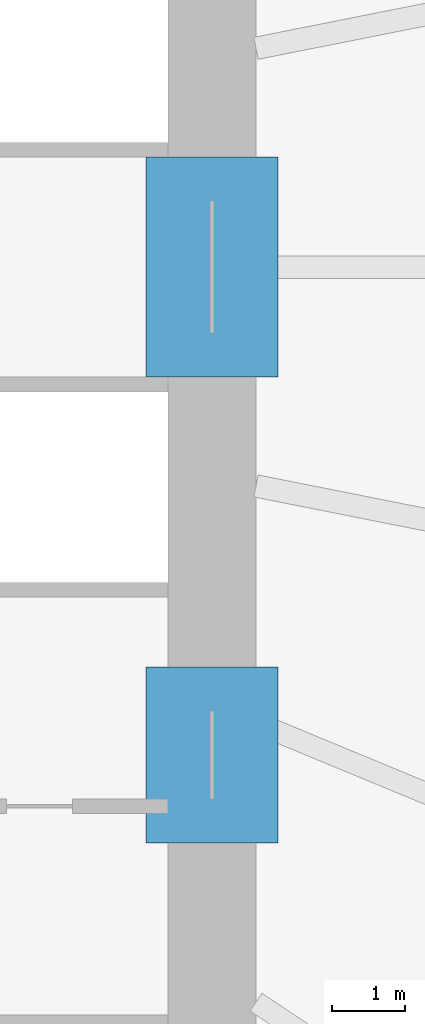
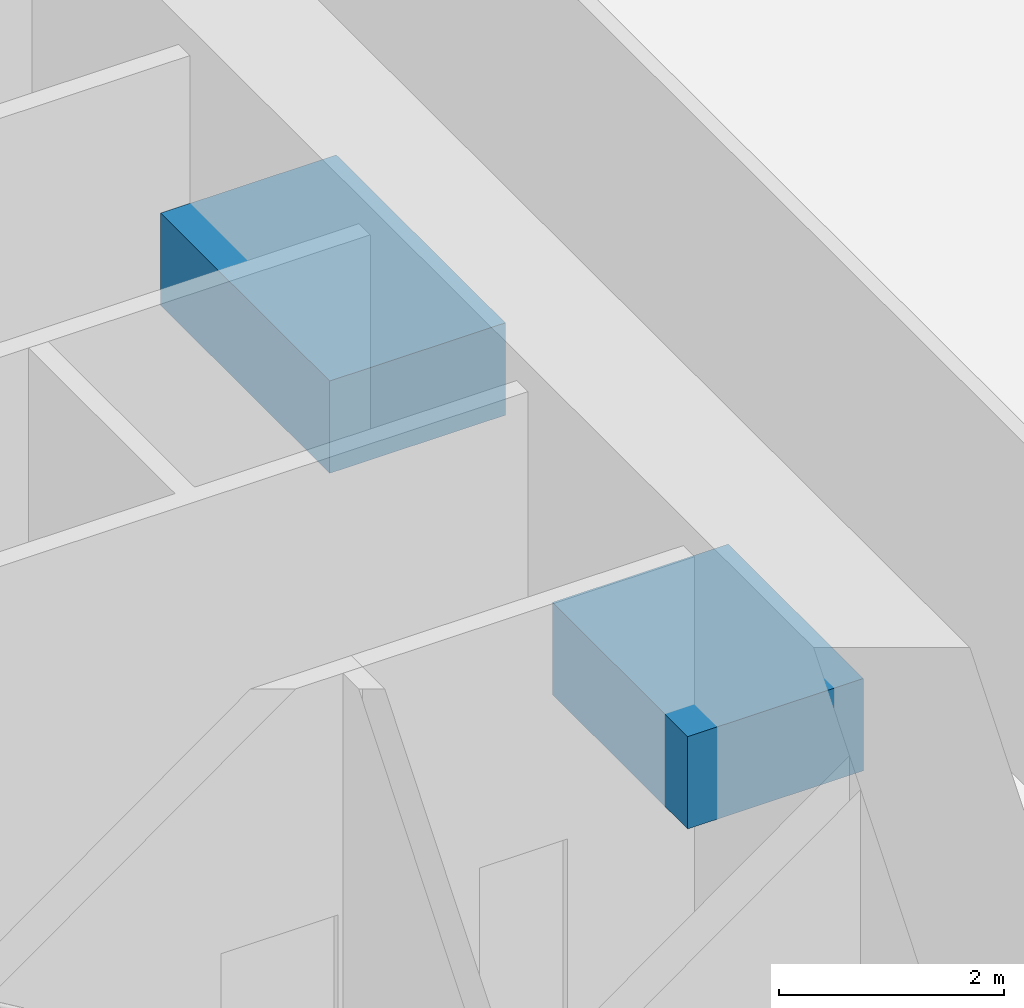
# One storey, part 10 of 36: 2 beams.
"""IFC4 building model written with IfcOpenShell, lengths in metres."""

from ifc_helpers import new_model, si_unit, direction, frame, origin, origin_2d, place, context, subcontext, project, spatial, rectangle, extrude, material, material_profile, profile_set, type_object, element, save


model = new_model("IFC4")

# Units and contexts
model_context = context("Model", 3, precision=1e-05, world=origin(), true_north=direction((0.0, 1.0)))
body_context = subcontext(model_context, "Body", "Model", "MODEL_VIEW")
ifc_project = project(units=[si_unit("LENGTHUNIT", "METRE"), si_unit("AREAUNIT", "SQUARE_METRE"), si_unit("VOLUMEUNIT", "CUBIC_METRE"), si_unit("PLANEANGLEUNIT", "RADIAN"), si_unit("MASSUNIT", "GRAM", prefix="KILO")], contexts=[model_context])

# Site, building, storey
site_placement = place(None, origin())
site = spatial("IfcSite", under=ifc_project, at=site_placement, CompositionType="ELEMENT")
building_placement = place(site_placement, origin())
building = spatial("IfcBuilding", under=site, at=building_placement, Name="Corvane Civic Tower", CompositionType="ELEMENT")
storey_placement = place(building_placement, frame((0.0, 0.0, 17.0)))
storey = spatial("IfcBuildingStorey", under=building, at=storey_placement, Name="L03", CompositionType="ELEMENT", Elevation=17.0)

# Beams
ifc_material = material(Name="Concrete C80/95", Category="concrete")
ifc_material_profile = material_profile(ifc_material, rectangle(XDim=1.800048828125, YDim=1.0, at=origin_2d()), Name="COUPLING BEAM 1800X1000")
ifc_profile_set = profile_set([ifc_material_profile], Name="Concrete C80/95")
beam_type = type_object("IfcBeamType", Name="COUPLING BEAM COUPLING BEAM 1800X1000", PredefinedType="BEAM", material=ifc_profile_set)
beam_1_placement = place(storey_placement, frame((14.39990234375, -1.5, 2.60009765625), z_axis=(0.0, 1.0, 0.0), x_axis=(-1.0, 0.0, 0.0)))
element("IfcBeam", 1, at=beam_1_placement, inside=storey, type_object=beam_type, Name="BM-L03-cpl-CW-LE", PredefinedType="BEAM", context=body_context, shape_type="SweptSolid", body=[
    extrude(rectangle(XDim=1.800048828125, YDim=1.0, at=origin_2d()), origin(), (0.0, 0.0, 1.0), 3.0),
])
beam_2_placement = place(storey_placement, frame((14.39990234375, -7.85009765625, 2.60009765625), z_axis=(0.0, 1.0, 0.0), x_axis=(-1.0, 0.0, 0.0)))
element("IfcBeam", 2, at=beam_2_placement, inside=storey, type_object=beam_type, Name="BM-L03-cpl-CW-ES", PredefinedType="BEAM", context=body_context, shape_type="SweptSolid", body=[
    extrude(rectangle(XDim=1.800048828125, YDim=1.0, at=origin_2d()), origin(), (0.0, 0.0, 1.0), 2.400146484375),
])

save(model, "model.ifc")
